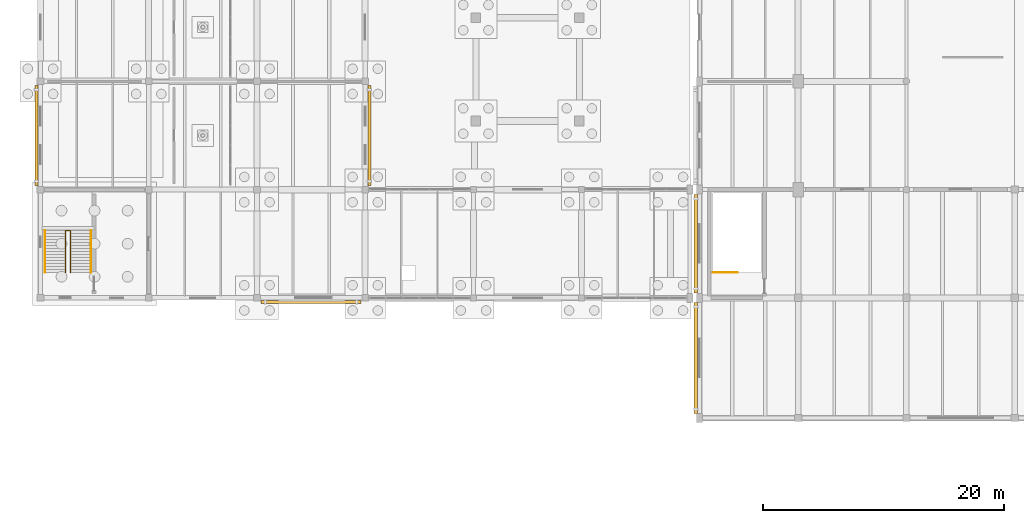
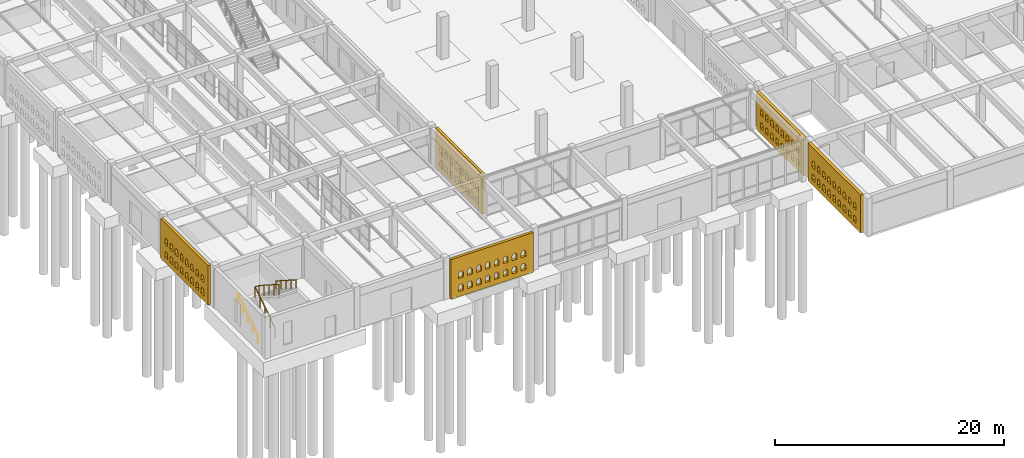
# One storey, part 177 of 186: 5 coverings, 4 railings.
"""IFC4 building model written with IfcOpenShell, lengths in metres."""

from ifc_helpers import new_model, si_unit, direction, frame, origin, origin_2d, place, context, subcontext, project, spatial, polyline, circle, outline, extrude, material, layer, layer_set, type_object, element, save


model = new_model("IFC4")

# Units and contexts
model_context = context("Model", 3, precision=1e-05, world=origin(), true_north=direction((0.0, 1.0)))
body_context = subcontext(model_context, "Body", "Model", "MODEL_VIEW")
ifc_project = project(units=[si_unit("LENGTHUNIT", "METRE"), si_unit("AREAUNIT", "SQUARE_METRE"), si_unit("VOLUMEUNIT", "CUBIC_METRE"), si_unit("PLANEANGLEUNIT", "RADIAN"), si_unit("MASSUNIT", "GRAM", prefix="KILO")], contexts=[model_context])

# Site, building, storey
site_placement = place(None, origin())
site = spatial("IfcSite", under=ifc_project, at=site_placement, CompositionType="ELEMENT")
building_placement = place(site_placement, origin())
building = spatial("IfcBuilding", under=site, at=building_placement, Name="Ornek Quay Market", CompositionType="ELEMENT")
storey_placement = place(building_placement, origin())
storey = spatial("IfcBuildingStorey", under=building, at=storey_placement, Name="L00", CompositionType="ELEMENT", Elevation=0.0)

# Coverings
ifc_material_1 = material(Name="Frost-resistant facing clay brick M200 F100", Category="masonry")
ifc_layer_1 = layer(ifc_material_1, 0.25, Name="Frost-resistant facing clay brick M200 F100", Category="masonry")
ifc_layer_set_1 = layer_set([ifc_layer_1], Name="Frost-resistant facing clay brick M200 F100")
covering_type_1 = type_object("IfcCoveringType", Name="COV-BRICK-LATTICE-250", PredefinedType="CLADDING", material=ifc_layer_set_1)
covering_1_placement = place(storey_placement, frame((-0.340087890625, 29.35009765625, 0.0), z_axis=(0.0, 0.0, 1.0), x_axis=(0.0, 1.0, 0.0)))
element("IfcCovering", 1, at=covering_1_placement, inside=storey, type_object=covering_type_1, Name="Arched brick lattice screen BLS-001", PredefinedType="CLADDING", context=body_context, shape_type="SweptSolid", body=[
    extrude(outline(polyline([(0.0, 0.0), (8.2998046875, 0.0), (8.2998046875, 4.219970703125), (0.0, 4.219970703125), (0.0, 0.0)]), holes=[polyline([(0.760009765625, 0.550048828125), (1.239990234375, 0.550048828125), (1.239990234375, 1.050048828125), (1.1201171875, 1.2578125), (0.8798828125, 1.2578125), (0.760009765625, 1.050048828125), (0.760009765625, 0.550048828125)]), polyline([(0.760009765625, 1.949951171875), (1.239990234375, 1.949951171875), (1.239990234375, 2.449951171875), (1.1201171875, 2.65771484375), (0.8798828125, 2.65771484375), (0.760009765625, 2.449951171875), (0.760009765625, 1.949951171875)]), polyline([(1.659912109375, 0.550048828125), (2.139892578125, 0.550048828125), (2.139892578125, 1.050048828125), (2.02001953125, 1.2578125), (1.780029296875, 1.2578125), (1.659912109375, 1.050048828125), (1.659912109375, 0.550048828125)]), polyline([(1.659912109375, 1.949951171875), (2.139892578125, 1.949951171875), (2.139892578125, 2.449951171875), (2.02001953125, 2.65771484375), (1.780029296875, 2.65771484375), (1.659912109375, 2.449951171875), (1.659912109375, 1.949951171875)]), polyline([(2.56005859375, 0.550048828125), (3.0400390625, 0.550048828125), (3.0400390625, 1.050048828125), (2.919921875, 1.2578125), (2.679931640625, 1.2578125), (2.56005859375, 1.050048828125), (2.56005859375, 0.550048828125)]), polyline([(2.56005859375, 1.949951171875), (3.0400390625, 1.949951171875), (3.0400390625, 2.449951171875), (2.919921875, 2.65771484375), (2.679931640625, 2.65771484375), (2.56005859375, 2.449951171875), (2.56005859375, 1.949951171875)]), polyline([(3.4599609375, 0.550048828125), (3.93994140625, 0.550048828125), (3.93994140625, 1.050048828125), (3.820068359375, 1.2578125), (3.580078125, 1.2578125), (3.4599609375, 1.050048828125), (3.4599609375, 0.550048828125)]), polyline([(3.4599609375, 1.949951171875), (3.93994140625, 1.949951171875), (3.93994140625, 2.449951171875), (3.820068359375, 2.65771484375), (3.580078125, 2.65771484375), (3.4599609375, 2.449951171875), (3.4599609375, 1.949951171875)]), polyline([(4.360107421875, 0.550048828125), (4.840087890625, 0.550048828125), (4.840087890625, 1.050048828125), (4.719970703125, 1.2578125), (4.47998046875, 1.2578125), (4.360107421875, 1.050048828125), (4.360107421875, 0.550048828125)]), polyline([(4.360107421875, 1.949951171875), (4.840087890625, 1.949951171875), (4.840087890625, 2.449951171875), (4.719970703125, 2.65771484375), (4.47998046875, 2.65771484375), (4.360107421875, 2.449951171875), (4.360107421875, 1.949951171875)]), polyline([(5.260009765625, 0.550048828125), (5.739990234375, 0.550048828125), (5.739990234375, 1.050048828125), (5.6201171875, 1.2578125), (5.3798828125, 1.2578125), (5.260009765625, 1.050048828125), (5.260009765625, 0.550048828125)]), polyline([(5.260009765625, 1.949951171875), (5.739990234375, 1.949951171875), (5.739990234375, 2.449951171875), (5.6201171875, 2.65771484375), (5.3798828125, 2.65771484375), (5.260009765625, 2.449951171875), (5.260009765625, 1.949951171875)]), polyline([(6.159912109375, 0.550048828125), (6.639892578125, 0.550048828125), (6.639892578125, 1.050048828125), (6.52001953125, 1.2578125), (6.280029296875, 1.2578125), (6.159912109375, 1.050048828125), (6.159912109375, 0.550048828125)]), polyline([(6.159912109375, 1.949951171875), (6.639892578125, 1.949951171875), (6.639892578125, 2.449951171875), (6.52001953125, 2.65771484375), (6.280029296875, 2.65771484375), (6.159912109375, 2.449951171875), (6.159912109375, 1.949951171875)]), polyline([(7.06005859375, 0.550048828125), (7.5400390625, 0.550048828125), (7.5400390625, 1.050048828125), (7.419921875, 1.2578125), (7.179931640625, 1.2578125), (7.06005859375, 1.050048828125), (7.06005859375, 0.550048828125)]), polyline([(7.06005859375, 1.949951171875), (7.5400390625, 1.949951171875), (7.5400390625, 2.449951171875), (7.419921875, 2.65771484375), (7.179931640625, 2.65771484375), (7.06005859375, 2.449951171875), (7.06005859375, 1.949951171875)])]), frame((0.0, 0.125, 0.0), z_axis=(0.0, -1.0, 0.0), x_axis=(1.0, 0.0, 0.0)), (0.0, 0.0, 1.0), 0.25),
])
covering_2_placement = place(storey_placement, frame((27.340087890625, 29.35009765625, 0.0), z_axis=(0.0, 0.0, 1.0), x_axis=(0.0, 1.0, 0.0)))
element("IfcCovering", 2, at=covering_2_placement, inside=storey, type_object=covering_type_1, Name="Arched brick lattice screen BLS-007", PredefinedType="CLADDING", context=body_context, shape_type="SweptSolid", body=[
    extrude(outline(polyline([(0.0, 0.0), (8.2998046875, 0.0), (8.2998046875, 4.219970703125), (0.0, 4.219970703125), (0.0, 0.0)]), holes=[polyline([(0.760009765625, 0.550048828125), (1.239990234375, 0.550048828125), (1.239990234375, 1.050048828125), (1.1201171875, 1.2578125), (0.8798828125, 1.2578125), (0.760009765625, 1.050048828125), (0.760009765625, 0.550048828125)]), polyline([(0.760009765625, 1.949951171875), (1.239990234375, 1.949951171875), (1.239990234375, 2.449951171875), (1.1201171875, 2.65771484375), (0.8798828125, 2.65771484375), (0.760009765625, 2.449951171875), (0.760009765625, 1.949951171875)]), polyline([(1.659912109375, 0.550048828125), (2.139892578125, 0.550048828125), (2.139892578125, 1.050048828125), (2.02001953125, 1.2578125), (1.780029296875, 1.2578125), (1.659912109375, 1.050048828125), (1.659912109375, 0.550048828125)]), polyline([(1.659912109375, 1.949951171875), (2.139892578125, 1.949951171875), (2.139892578125, 2.449951171875), (2.02001953125, 2.65771484375), (1.780029296875, 2.65771484375), (1.659912109375, 2.449951171875), (1.659912109375, 1.949951171875)]), polyline([(2.56005859375, 0.550048828125), (3.0400390625, 0.550048828125), (3.0400390625, 1.050048828125), (2.919921875, 1.2578125), (2.679931640625, 1.2578125), (2.56005859375, 1.050048828125), (2.56005859375, 0.550048828125)]), polyline([(2.56005859375, 1.949951171875), (3.0400390625, 1.949951171875), (3.0400390625, 2.449951171875), (2.919921875, 2.65771484375), (2.679931640625, 2.65771484375), (2.56005859375, 2.449951171875), (2.56005859375, 1.949951171875)]), polyline([(3.4599609375, 0.550048828125), (3.93994140625, 0.550048828125), (3.93994140625, 1.050048828125), (3.820068359375, 1.2578125), (3.580078125, 1.2578125), (3.4599609375, 1.050048828125), (3.4599609375, 0.550048828125)]), polyline([(3.4599609375, 1.949951171875), (3.93994140625, 1.949951171875), (3.93994140625, 2.449951171875), (3.820068359375, 2.65771484375), (3.580078125, 2.65771484375), (3.4599609375, 2.449951171875), (3.4599609375, 1.949951171875)]), polyline([(4.360107421875, 0.550048828125), (4.840087890625, 0.550048828125), (4.840087890625, 1.050048828125), (4.719970703125, 1.2578125), (4.47998046875, 1.2578125), (4.360107421875, 1.050048828125), (4.360107421875, 0.550048828125)]), polyline([(4.360107421875, 1.949951171875), (4.840087890625, 1.949951171875), (4.840087890625, 2.449951171875), (4.719970703125, 2.65771484375), (4.47998046875, 2.65771484375), (4.360107421875, 2.449951171875), (4.360107421875, 1.949951171875)]), polyline([(5.260009765625, 0.550048828125), (5.739990234375, 0.550048828125), (5.739990234375, 1.050048828125), (5.6201171875, 1.2578125), (5.3798828125, 1.2578125), (5.260009765625, 1.050048828125), (5.260009765625, 0.550048828125)]), polyline([(5.260009765625, 1.949951171875), (5.739990234375, 1.949951171875), (5.739990234375, 2.449951171875), (5.6201171875, 2.65771484375), (5.3798828125, 2.65771484375), (5.260009765625, 2.449951171875), (5.260009765625, 1.949951171875)]), polyline([(6.159912109375, 0.550048828125), (6.639892578125, 0.550048828125), (6.639892578125, 1.050048828125), (6.52001953125, 1.2578125), (6.280029296875, 1.2578125), (6.159912109375, 1.050048828125), (6.159912109375, 0.550048828125)]), polyline([(6.159912109375, 1.949951171875), (6.639892578125, 1.949951171875), (6.639892578125, 2.449951171875), (6.52001953125, 2.65771484375), (6.280029296875, 2.65771484375), (6.159912109375, 2.449951171875), (6.159912109375, 1.949951171875)]), polyline([(7.06005859375, 0.550048828125), (7.5400390625, 0.550048828125), (7.5400390625, 1.050048828125), (7.419921875, 1.2578125), (7.179931640625, 1.2578125), (7.06005859375, 1.050048828125), (7.06005859375, 0.550048828125)]), polyline([(7.06005859375, 1.949951171875), (7.5400390625, 1.949951171875), (7.5400390625, 2.449951171875), (7.419921875, 2.65771484375), (7.179931640625, 2.65771484375), (7.06005859375, 2.449951171875), (7.06005859375, 1.949951171875)])]), frame((0.0, 0.125, 0.0), z_axis=(0.0, -1.0, 0.0), x_axis=(1.0, 0.0, 0.0)), (0.0, 0.0, 1.0), 0.25),
])
covering_3_placement = place(storey_placement, frame((18.35009765625, 19.659912109375, 0.0), z_axis=(0.0, 0.0, 1.0), x_axis=(1.0, 0.0, 0.0)))
element("IfcCovering", 3, at=covering_3_placement, inside=storey, type_object=covering_type_1, Name="Arched brick lattice screen BLS-012", PredefinedType="CLADDING", context=body_context, shape_type="SweptSolid", body=[
    extrude(outline(polyline([(0.0, 0.0), (8.2998046875, 0.0), (8.2998046875, 4.219970703125), (0.0, 4.219970703125), (0.0, 0.0)]), holes=[polyline([(0.760009765625, 0.550048828125), (1.239990234375, 0.550048828125), (1.239990234375, 1.050048828125), (1.1201171875, 1.2578125), (0.8798828125, 1.2578125), (0.760009765625, 1.050048828125), (0.760009765625, 0.550048828125)]), polyline([(0.760009765625, 1.949951171875), (1.239990234375, 1.949951171875), (1.239990234375, 2.449951171875), (1.1201171875, 2.65771484375), (0.8798828125, 2.65771484375), (0.760009765625, 2.449951171875), (0.760009765625, 1.949951171875)]), polyline([(1.659912109375, 0.550048828125), (2.139892578125, 0.550048828125), (2.139892578125, 1.050048828125), (2.02001953125, 1.2578125), (1.780029296875, 1.2578125), (1.659912109375, 1.050048828125), (1.659912109375, 0.550048828125)]), polyline([(1.659912109375, 1.949951171875), (2.139892578125, 1.949951171875), (2.139892578125, 2.449951171875), (2.02001953125, 2.65771484375), (1.780029296875, 2.65771484375), (1.659912109375, 2.449951171875), (1.659912109375, 1.949951171875)]), polyline([(2.56005859375, 0.550048828125), (3.0400390625, 0.550048828125), (3.0400390625, 1.050048828125), (2.919921875, 1.2578125), (2.679931640625, 1.2578125), (2.56005859375, 1.050048828125), (2.56005859375, 0.550048828125)]), polyline([(2.56005859375, 1.949951171875), (3.0400390625, 1.949951171875), (3.0400390625, 2.449951171875), (2.919921875, 2.65771484375), (2.679931640625, 2.65771484375), (2.56005859375, 2.449951171875), (2.56005859375, 1.949951171875)]), polyline([(3.4599609375, 0.550048828125), (3.93994140625, 0.550048828125), (3.93994140625, 1.050048828125), (3.820068359375, 1.2578125), (3.580078125, 1.2578125), (3.4599609375, 1.050048828125), (3.4599609375, 0.550048828125)]), polyline([(3.4599609375, 1.949951171875), (3.93994140625, 1.949951171875), (3.93994140625, 2.449951171875), (3.820068359375, 2.65771484375), (3.580078125, 2.65771484375), (3.4599609375, 2.449951171875), (3.4599609375, 1.949951171875)]), polyline([(4.360107421875, 0.550048828125), (4.840087890625, 0.550048828125), (4.840087890625, 1.050048828125), (4.719970703125, 1.2578125), (4.47998046875, 1.2578125), (4.360107421875, 1.050048828125), (4.360107421875, 0.550048828125)]), polyline([(4.360107421875, 1.949951171875), (4.840087890625, 1.949951171875), (4.840087890625, 2.449951171875), (4.719970703125, 2.65771484375), (4.47998046875, 2.65771484375), (4.360107421875, 2.449951171875), (4.360107421875, 1.949951171875)]), polyline([(5.260009765625, 0.550048828125), (5.739990234375, 0.550048828125), (5.739990234375, 1.050048828125), (5.6201171875, 1.2578125), (5.3798828125, 1.2578125), (5.260009765625, 1.050048828125), (5.260009765625, 0.550048828125)]), polyline([(5.260009765625, 1.949951171875), (5.739990234375, 1.949951171875), (5.739990234375, 2.449951171875), (5.6201171875, 2.65771484375), (5.3798828125, 2.65771484375), (5.260009765625, 2.449951171875), (5.260009765625, 1.949951171875)]), polyline([(6.159912109375, 0.550048828125), (6.639892578125, 0.550048828125), (6.639892578125, 1.050048828125), (6.52001953125, 1.2578125), (6.280029296875, 1.2578125), (6.159912109375, 1.050048828125), (6.159912109375, 0.550048828125)]), polyline([(6.159912109375, 1.949951171875), (6.639892578125, 1.949951171875), (6.639892578125, 2.449951171875), (6.52001953125, 2.65771484375), (6.280029296875, 2.65771484375), (6.159912109375, 2.449951171875), (6.159912109375, 1.949951171875)]), polyline([(7.06005859375, 0.550048828125), (7.5400390625, 0.550048828125), (7.5400390625, 1.050048828125), (7.419921875, 1.2578125), (7.179931640625, 1.2578125), (7.06005859375, 1.050048828125), (7.06005859375, 0.550048828125)]), polyline([(7.06005859375, 1.949951171875), (7.5400390625, 1.949951171875), (7.5400390625, 2.449951171875), (7.419921875, 2.65771484375), (7.179931640625, 2.65771484375), (7.06005859375, 2.449951171875), (7.06005859375, 1.949951171875)])]), frame((0.0, 0.125, 0.0), z_axis=(0.0, -1.0, 0.0), x_axis=(1.0, 0.0, 0.0)), (0.0, 0.0, 1.0), 0.25),
])
ifc_layer_2 = layer(ifc_material_1, 0.2900390625, Name="Frost-resistant facing clay brick M200 F100", Category="masonry")
ifc_layer_set_2 = layer_set([ifc_layer_2], Name="Frost-resistant facing clay brick M200 F100")
covering_type_2 = type_object("IfcCoveringType", Name="COV-BRICK-LATTICE-290", PredefinedType="CLADDING", material=ifc_layer_set_2)
covering_4_placement = place(storey_placement, frame((54.47998046875, 10.39990234375, 0.0), z_axis=(0.0, 0.0, 1.0), x_axis=(0.0, 1.0, 0.0)))
element("IfcCovering", 4, at=covering_4_placement, inside=storey, type_object=covering_type_2, Name="Arched brick lattice screen BLS-031", PredefinedType="CLADDING", context=body_context, shape_type="SweptSolid", body=[
    extrude(outline(polyline([(0.0, 0.0), (9.2001953125, 0.0), (9.2001953125, 4.06005859375), (0.0, 4.06005859375), (0.0, 0.0)]), holes=[polyline([(0.760009765625, 0.550048828125), (1.239990234375, 0.550048828125), (1.239990234375, 1.050048828125), (1.1201171875, 1.2578125), (0.8798828125, 1.2578125), (0.760009765625, 1.050048828125), (0.760009765625, 0.550048828125)]), polyline([(0.760009765625, 1.949951171875), (1.239990234375, 1.949951171875), (1.239990234375, 2.449951171875), (1.1201171875, 2.65771484375), (0.8798828125, 2.65771484375), (0.760009765625, 2.449951171875), (0.760009765625, 1.949951171875)]), polyline([(1.659912109375, 0.550048828125), (2.139892578125, 0.550048828125), (2.139892578125, 1.050048828125), (2.02001953125, 1.2578125), (1.780029296875, 1.2578125), (1.659912109375, 1.050048828125), (1.659912109375, 0.550048828125)]), polyline([(1.659912109375, 1.949951171875), (2.139892578125, 1.949951171875), (2.139892578125, 2.449951171875), (2.02001953125, 2.65771484375), (1.780029296875, 2.65771484375), (1.659912109375, 2.449951171875), (1.659912109375, 1.949951171875)]), polyline([(2.56005859375, 0.550048828125), (3.0400390625, 0.550048828125), (3.0400390625, 1.050048828125), (2.919921875, 1.2578125), (2.679931640625, 1.2578125), (2.56005859375, 1.050048828125), (2.56005859375, 0.550048828125)]), polyline([(2.56005859375, 1.949951171875), (3.0400390625, 1.949951171875), (3.0400390625, 2.449951171875), (2.919921875, 2.65771484375), (2.679931640625, 2.65771484375), (2.56005859375, 2.449951171875), (2.56005859375, 1.949951171875)]), polyline([(3.4599609375, 0.550048828125), (3.93994140625, 0.550048828125), (3.93994140625, 1.050048828125), (3.820068359375, 1.2578125), (3.580078125, 1.2578125), (3.4599609375, 1.050048828125), (3.4599609375, 0.550048828125)]), polyline([(3.4599609375, 1.949951171875), (3.93994140625, 1.949951171875), (3.93994140625, 2.449951171875), (3.820068359375, 2.65771484375), (3.580078125, 2.65771484375), (3.4599609375, 2.449951171875), (3.4599609375, 1.949951171875)]), polyline([(4.360107421875, 0.550048828125), (4.840087890625, 0.550048828125), (4.840087890625, 1.050048828125), (4.719970703125, 1.2578125), (4.47998046875, 1.2578125), (4.360107421875, 1.050048828125), (4.360107421875, 0.550048828125)]), polyline([(4.360107421875, 1.949951171875), (4.840087890625, 1.949951171875), (4.840087890625, 2.449951171875), (4.719970703125, 2.65771484375), (4.47998046875, 2.65771484375), (4.360107421875, 2.449951171875), (4.360107421875, 1.949951171875)]), polyline([(5.260009765625, 0.550048828125), (5.739990234375, 0.550048828125), (5.739990234375, 1.050048828125), (5.6201171875, 1.2578125), (5.3798828125, 1.2578125), (5.260009765625, 1.050048828125), (5.260009765625, 0.550048828125)]), polyline([(5.260009765625, 1.949951171875), (5.739990234375, 1.949951171875), (5.739990234375, 2.449951171875), (5.6201171875, 2.65771484375), (5.3798828125, 2.65771484375), (5.260009765625, 2.449951171875), (5.260009765625, 1.949951171875)]), polyline([(6.159912109375, 0.550048828125), (6.639892578125, 0.550048828125), (6.639892578125, 1.050048828125), (6.52001953125, 1.2578125), (6.280029296875, 1.2578125), (6.159912109375, 1.050048828125), (6.159912109375, 0.550048828125)]), polyline([(6.159912109375, 1.949951171875), (6.639892578125, 1.949951171875), (6.639892578125, 2.449951171875), (6.52001953125, 2.65771484375), (6.280029296875, 2.65771484375), (6.159912109375, 2.449951171875), (6.159912109375, 1.949951171875)]), polyline([(7.06005859375, 0.550048828125), (7.5400390625, 0.550048828125), (7.5400390625, 1.050048828125), (7.419921875, 1.2578125), (7.179931640625, 1.2578125), (7.06005859375, 1.050048828125), (7.06005859375, 0.550048828125)]), polyline([(7.06005859375, 1.949951171875), (7.5400390625, 1.949951171875), (7.5400390625, 2.449951171875), (7.419921875, 2.65771484375), (7.179931640625, 2.65771484375), (7.06005859375, 2.449951171875), (7.06005859375, 1.949951171875)]), polyline([(7.9599609375, 0.550048828125), (8.43994140625, 0.550048828125), (8.43994140625, 1.050048828125), (8.320068359375, 1.2578125), (8.080078125, 1.2578125), (7.9599609375, 1.050048828125), (7.9599609375, 0.550048828125)]), polyline([(7.9599609375, 1.949951171875), (8.43994140625, 1.949951171875), (8.43994140625, 2.449951171875), (8.320068359375, 2.65771484375), (8.080078125, 2.65771484375), (7.9599609375, 2.449951171875), (7.9599609375, 1.949951171875)])]), frame((0.0, 0.14501953125, 0.0), z_axis=(0.0, -1.0, 0.0), x_axis=(1.0, 0.0, 0.0)), (0.0, 0.0, 1.0), 0.2900390625),
])
covering_5_placement = place(storey_placement, frame((54.47998046875, 20.39990234375, 0.0), z_axis=(0.0, 0.0, 1.0), x_axis=(0.0, 1.0, 0.0)))
element("IfcCovering", 5, at=covering_5_placement, inside=storey, type_object=covering_type_2, Name="Arched brick lattice screen BLS-032", PredefinedType="CLADDING", context=body_context, shape_type="SweptSolid", body=[
    extrude(outline(polyline([(0.0, 0.0), (8.2001953125, 0.0), (8.2001953125, 4.06005859375), (0.0, 4.06005859375), (0.0, 0.0)]), holes=[polyline([(0.7099609375, 0.550048828125), (1.18994140625, 0.550048828125), (1.18994140625, 1.050048828125), (1.070068359375, 1.2578125), (0.830078125, 1.2578125), (0.7099609375, 1.050048828125), (0.7099609375, 0.550048828125)]), polyline([(0.7099609375, 1.949951171875), (1.18994140625, 1.949951171875), (1.18994140625, 2.449951171875), (1.070068359375, 2.65771484375), (0.830078125, 2.65771484375), (0.7099609375, 2.449951171875), (0.7099609375, 1.949951171875)]), polyline([(1.610107421875, 0.550048828125), (2.090087890625, 0.550048828125), (2.090087890625, 1.050048828125), (1.969970703125, 1.2578125), (1.72998046875, 1.2578125), (1.610107421875, 1.050048828125), (1.610107421875, 0.550048828125)]), polyline([(1.610107421875, 1.949951171875), (2.090087890625, 1.949951171875), (2.090087890625, 2.449951171875), (1.969970703125, 2.65771484375), (1.72998046875, 2.65771484375), (1.610107421875, 2.449951171875), (1.610107421875, 1.949951171875)]), polyline([(2.510009765625, 0.550048828125), (2.989990234375, 0.550048828125), (2.989990234375, 1.050048828125), (2.8701171875, 1.2578125), (2.6298828125, 1.2578125), (2.510009765625, 1.050048828125), (2.510009765625, 0.550048828125)]), polyline([(2.510009765625, 1.949951171875), (2.989990234375, 1.949951171875), (2.989990234375, 2.449951171875), (2.8701171875, 2.65771484375), (2.6298828125, 2.65771484375), (2.510009765625, 2.449951171875), (2.510009765625, 1.949951171875)]), polyline([(3.409912109375, 0.550048828125), (3.889892578125, 0.550048828125), (3.889892578125, 1.050048828125), (3.77001953125, 1.2578125), (3.530029296875, 1.2578125), (3.409912109375, 1.050048828125), (3.409912109375, 0.550048828125)]), polyline([(3.409912109375, 1.949951171875), (3.889892578125, 1.949951171875), (3.889892578125, 2.449951171875), (3.77001953125, 2.65771484375), (3.530029296875, 2.65771484375), (3.409912109375, 2.449951171875), (3.409912109375, 1.949951171875)]), polyline([(4.31005859375, 0.550048828125), (4.7900390625, 0.550048828125), (4.7900390625, 1.050048828125), (4.669921875, 1.2578125), (4.429931640625, 1.2578125), (4.31005859375, 1.050048828125), (4.31005859375, 0.550048828125)]), polyline([(4.31005859375, 1.949951171875), (4.7900390625, 1.949951171875), (4.7900390625, 2.449951171875), (4.669921875, 2.65771484375), (4.429931640625, 2.65771484375), (4.31005859375, 2.449951171875), (4.31005859375, 1.949951171875)]), polyline([(5.2099609375, 0.550048828125), (5.68994140625, 0.550048828125), (5.68994140625, 1.050048828125), (5.570068359375, 1.2578125), (5.330078125, 1.2578125), (5.2099609375, 1.050048828125), (5.2099609375, 0.550048828125)]), polyline([(5.2099609375, 1.949951171875), (5.68994140625, 1.949951171875), (5.68994140625, 2.449951171875), (5.570068359375, 2.65771484375), (5.330078125, 2.65771484375), (5.2099609375, 2.449951171875), (5.2099609375, 1.949951171875)]), polyline([(6.110107421875, 0.550048828125), (6.590087890625, 0.550048828125), (6.590087890625, 1.050048828125), (6.469970703125, 1.2578125), (6.22998046875, 1.2578125), (6.110107421875, 1.050048828125), (6.110107421875, 0.550048828125)]), polyline([(6.110107421875, 1.949951171875), (6.590087890625, 1.949951171875), (6.590087890625, 2.449951171875), (6.469970703125, 2.65771484375), (6.22998046875, 2.65771484375), (6.110107421875, 2.449951171875), (6.110107421875, 1.949951171875)]), polyline([(7.010009765625, 0.550048828125), (7.489990234375, 0.550048828125), (7.489990234375, 1.050048828125), (7.3701171875, 1.2578125), (7.1298828125, 1.2578125), (7.010009765625, 1.050048828125), (7.010009765625, 0.550048828125)]), polyline([(7.010009765625, 1.949951171875), (7.489990234375, 1.949951171875), (7.489990234375, 2.449951171875), (7.3701171875, 2.65771484375), (7.1298828125, 2.65771484375), (7.010009765625, 2.449951171875), (7.010009765625, 1.949951171875)])]), frame((0.0, 0.14501953125, 0.0), z_axis=(0.0, -1.0, 0.0), x_axis=(1.0, 0.0, 0.0)), (0.0, 0.0, 1.0), 0.2900390625),
])

# Railings
ifc_material_2 = material(Name="Brushed stainless steel 316", Category="steel")
railing_type_1 = type_object("IfcRailingType", Name="RL-GUARD-STAIR-1100", PredefinedType="GUARDRAIL", material=ifc_material_2)
railing_1_placement = place(storey_placement, frame((2.10009765625, 22.095947265625, 0.0)))
element("IfcRailing", 6, at=railing_1_placement, inside=storey, type_object=railing_type_1, Name="Railing GR-03-005", PredefinedType="GUARDRAIL", context=body_context, shape_type="SweptSolid", body=[
    extrude(circle(Radius=0.02392578125, at=origin_2d()), frame((0.0, 0.0, 1.09619140625), z_axis=(0.0, 0.840903622667, 0.541184901292), x_axis=(-1.0, 0.0, 0.0)), (0.0, 0.0, 1.0), 4.12744140625),
    extrude(circle(Radius=0.02392578125, at=origin_2d()), frame((0.030029296875, 3.49609375, 3.34619140625), z_axis=(1.0, 0.0, 0.0), x_axis=(0.0, 1.0, 0.0)), (0.0, 0.0, 1.0), 0.33984375),
    extrude(circle(Radius=0.02392578125, at=origin_2d()), frame((0.39990234375, 3.470947265625, 3.3623046875), z_axis=(0.0, -0.840610876962, 0.541639505145), x_axis=(1.0, 0.0, 0.0)), (0.0, 0.0, 1.0), 4.1240234375),
    extrude(circle(Radius=0.02099609375, at=origin_2d()), origin(), (0.0, 0.0, 1.0), 1.068115234375),
    extrude(circle(Radius=0.02099609375, at=origin_2d()), frame((0.0, 0.8740234375, 0.5625)), (0.0, 0.0, 1.0), 1.068115234375),
    extrude(circle(Radius=0.02099609375, at=origin_2d()), frame((0.0, 1.748046875, 1.125)), (0.0, 0.0, 1.0), 1.068115234375),
    extrude(circle(Radius=0.02099609375, at=origin_2d()), frame((0.0, 2.6220703125, 1.6875)), (0.0, 0.0, 1.0), 1.068115234375),
    extrude(circle(Radius=0.02099609375, at=origin_2d()), frame((0.0, 3.49609375, 2.25)), (0.0, 0.0, 1.0), 1.068115234375),
    extrude(circle(Radius=0.02099609375, at=origin_2d()), frame((0.39990234375, 3.49609375, 2.25)), (0.0, 0.0, 1.0), 1.068115234375),
    extrude(circle(Radius=0.02099609375, at=origin_2d()), frame((0.39990234375, 2.623046875, 2.8125)), (0.0, 0.0, 1.0), 1.068115234375),
    extrude(circle(Radius=0.02099609375, at=origin_2d()), frame((0.39990234375, 1.75, 3.375)), (0.0, 0.0, 1.0), 1.068115234375),
    extrude(circle(Radius=0.02099609375, at=origin_2d()), frame((0.39990234375, 0.877197265625, 3.9375)), (0.0, 0.0, 1.0), 1.068115234375),
    extrude(circle(Radius=0.02099609375, at=origin_2d()), frame((0.39990234375, 0.004150390625, 4.5)), (0.0, 0.0, 1.0), 1.068115234375),
])
railing_2_placement = place(storey_placement, frame((55.919921875, 22.1201171875, 0.0)))
element("IfcRailing", 7, at=railing_2_placement, inside=storey, type_object=railing_type_1, Name="Railing GR-03-123", PredefinedType="GUARDRAIL", context=body_context, shape_type="SweptSolid", body=[
    extrude(circle(Radius=0.02392578125, at=origin_2d()), frame((0.0, 0.0, 1.09619140625), z_axis=(1.0, 0.0, 0.0), x_axis=(0.0, 1.0, 0.0)), (0.0, 0.0, 1.0), 2.030029296875),
    extrude(circle(Radius=0.02099609375, at=origin_2d()), origin(), (0.0, 0.0, 1.0), 1.068115234375),
    extrude(circle(Radius=0.02099609375, at=origin_2d()), frame((1.01513671875, 0.0, 0.0)), (0.0, 0.0, 1.0), 1.068115234375),
    extrude(circle(Radius=0.02099609375, at=origin_2d()), frame((2.030029296875, 0.0, 0.0)), (0.0, 0.0, 1.0), 1.068115234375),
])
railing_type_2 = type_object("IfcRailingType", Name="RL-HANDRAIL-920", PredefinedType="HANDRAIL", material=ifc_material_2)
railing_3_placement = place(storey_placement, frame((0.3798828125, 22.095947265625, 0.080078125)))
element("IfcRailing", 8, at=railing_3_placement, inside=storey, type_object=railing_type_2, Name="Railing HR-01-006", PredefinedType="HANDRAIL", context=body_context, shape_type="SweptSolid", body=[
    extrude(circle(Radius=0.02392578125, at=origin_2d()), frame((0.0, 0.0, 0.89599609375), z_axis=(0.0, 0.840903622667, 0.541184901292), x_axis=(-1.0, 0.0, 0.0)), (0.0, 0.0, 1.0), 4.157470703125),
    extrude(circle(Radius=0.02099609375, at=origin_2d()), origin(), (0.0, 0.0, 1.0), 0.867919921875),
    extrude(circle(Radius=0.02099609375, at=origin_2d()), frame((0.0, 0.8740234375, 0.5625)), (0.0, 0.0, 1.0), 0.867919921875),
    extrude(circle(Radius=0.02099609375, at=origin_2d()), frame((0.0, 1.748046875, 1.125)), (0.0, 0.0, 1.0), 0.867919921875),
    extrude(circle(Radius=0.02099609375, at=origin_2d()), frame((0.0, 2.6220703125, 1.6875)), (0.0, 0.0, 1.0), 0.867919921875),
    extrude(circle(Radius=0.02099609375, at=origin_2d()), frame((0.0, 3.49609375, 2.25)), (0.0, 0.0, 1.0), 0.867919921875),
])
railing_4_placement = place(storey_placement, frame((4.219970703125, 25.592041015625, 2.330078125)))
element("IfcRailing", 9, at=railing_4_placement, inside=storey, type_object=railing_type_2, Name="Railing HR-01-007", PredefinedType="HANDRAIL", context=body_context, shape_type="SweptSolid", body=[
    extrude(circle(Radius=0.02392578125, at=origin_2d()), frame((0.0, 0.0, 0.89599609375), z_axis=(0.0, -0.840610876962, 0.541639505145), x_axis=(1.0, 0.0, 0.0)), (0.0, 0.0, 1.0), 4.154052734375),
    extrude(circle(Radius=0.02099609375, at=origin_2d()), origin(), (0.0, 0.0, 1.0), 0.867919921875),
    extrude(circle(Radius=0.02099609375, at=origin_2d()), frame((0.0, -0.873046875, 0.5625)), (0.0, 0.0, 1.0), 0.867919921875),
    extrude(circle(Radius=0.02099609375, at=origin_2d()), frame((0.0, -1.74609375, 1.125)), (0.0, 0.0, 1.0), 0.867919921875),
    extrude(circle(Radius=0.02099609375, at=origin_2d()), frame((0.0, -2.618896484375, 1.6875)), (0.0, 0.0, 1.0), 0.867919921875),
    extrude(circle(Radius=0.02099609375, at=origin_2d()), frame((0.0, -3.491943359375, 2.25)), (0.0, 0.0, 1.0), 0.867919921875),
])

save(model, "model.ifc")
